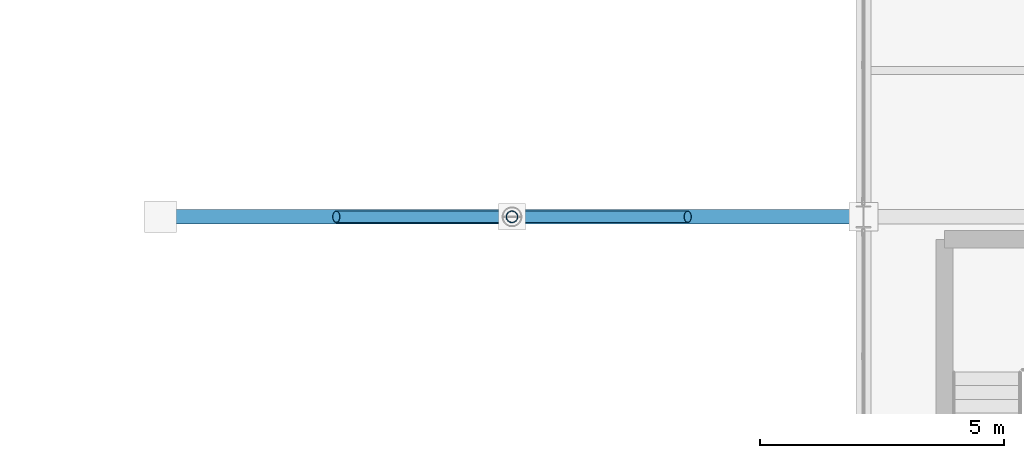
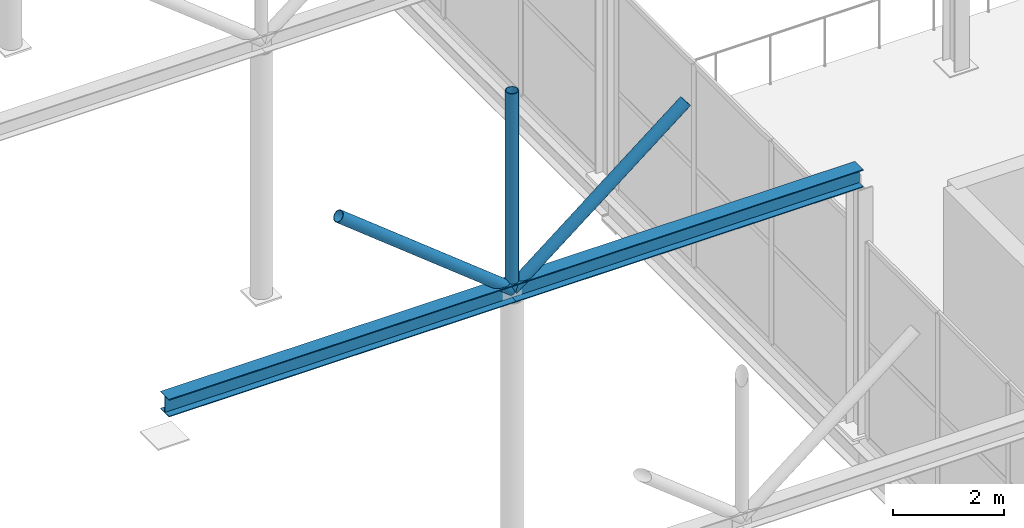
# One storey, part 35 of 147: 3 members, 2 beams.
"""IFC4 building model written with IfcOpenShell, lengths in metres."""

from ifc_helpers import new_model, si_unit, direction, frame, origin, origin_2d, place, context, subcontext, project, spatial, hollow_circle, i_section, extrude, material, material_profile, profile_set, type_object, element, save


model = new_model("IFC4")

# Units and contexts
model_context = context("Model", 3, precision=1e-05, world=origin(), true_north=direction((0.0, 1.0)))
body_context = subcontext(model_context, "Body", "Model", "MODEL_VIEW")
ifc_project = project(units=[si_unit("LENGTHUNIT", "METRE"), si_unit("AREAUNIT", "SQUARE_METRE"), si_unit("VOLUMEUNIT", "CUBIC_METRE"), si_unit("PLANEANGLEUNIT", "RADIAN"), si_unit("MASSUNIT", "GRAM", prefix="KILO")], contexts=[model_context])

# Site, building, storey
site_placement = place(None, origin())
site = spatial("IfcSite", under=ifc_project, at=site_placement, CompositionType="ELEMENT")
building_placement = place(site_placement, origin())
building = spatial("IfcBuilding", under=site, at=building_placement, Name="Sundgate Opera House", CompositionType="ELEMENT")
storey_placement = place(building_placement, frame((0.0, 0.0, 6.0)))
storey = spatial("IfcBuildingStorey", under=building, at=storey_placement, Name="L01", CompositionType="ELEMENT", Elevation=6.0)

# Beams
ifc_material_1 = material(Name="Steel S355J2", Category="steel")
ifc_material_profile_1 = material_profile(ifc_material_1, i_section(OverallWidth=0.300048828125, OverallDepth=0.389892578125, WebThickness=0.010986328125, FlangeThickness=0.01904296875, at=origin_2d()), Name="HEA 400")
ifc_profile_set_1 = profile_set([ifc_material_profile_1], Name="Steel S355J2")
beam_type = type_object("IfcBeamType", Name="BM-GR-HEA400", PredefinedType="BEAM", material=ifc_profile_set_1)
for number, where, z_axis, x_axis, name in (
    (1, (81.0, 33.0, 5.5849609375), (1.0, 0.0, 0.0), (0.0, 1.0, 0.0), "L01 Passage Arch Tie Beam B3399"),
    (2, (88.199951171875, 33.0, 5.5849609375), (1.0, 0.0, 0.0), (0.0, 1.0, 0.0), "L01 Passage Arch Tie Beam B3400"),
):
    element("IfcBeam", number, at=place(storey_placement, frame(where, z_axis=z_axis, x_axis=x_axis)), inside=storey, type_object=beam_type, Name=name, PredefinedType="BEAM", context=body_context, shape_type="SweptSolid", body=[
        extrude(i_section(OverallWidth=0.300048828125, OverallDepth=0.389892578125, WebThickness=0.010986328125, FlangeThickness=0.01904296875, at=origin_2d()), origin(), (0.0, 0.0, 1.0), 7.199951171875),
    ])

# Members
ifc_material_2 = material(Name="Steel S355J2", Category="steel")
ifc_material_profile_2 = material_profile(ifc_material_2, hollow_circle(Radius=0.122314453125, WallThickness=0.012451171875, at=origin_2d()), Name="CHS 244.5x12.5")
ifc_profile_set_2 = profile_set([ifc_material_profile_2], Name="Steel S355J2")
member_type = type_object("IfcMemberType", Name="MB-STRUT-CHS244", PredefinedType="STRUT", material=ifc_profile_set_2)
member_1_placement = place(storey_placement, frame((88.199951171875, 33.0, 5.594970703125), z_axis=(-0.78350570776, 0.0, 0.621384587762), x_axis=(0.0, -1.0, 0.0)))
element("IfcMember", 3, at=member_1_placement, inside=storey, type_object=member_type, Name="Passage Arch Spandrel Strut M0304", PredefinedType="STRUT", context=body_context, shape_type="SweptSolid", body=[
    extrude(hollow_circle(Radius=0.122314453125, WallThickness=0.012451171875, at=origin_2d()), origin(), (0.0, 0.0, 1.0), 4.594482421875),
])
member_2_placement = place(storey_placement, frame((88.199951171875, 33.0, 5.594970703125), z_axis=(0.783526223691, 0.0, 0.621358718285), x_axis=(0.0, 1.0, 0.0)))
element("IfcMember", 4, at=member_2_placement, inside=storey, type_object=member_type, Name="Passage Arch Spandrel Strut M0305", PredefinedType="STRUT", context=body_context, shape_type="SweptSolid", body=[
    extrude(hollow_circle(Radius=0.122314453125, WallThickness=0.012451171875, at=origin_2d()), origin(), (0.0, 0.0, 1.0), 4.5947265625),
])
member_3_placement = place(storey_placement, frame((88.199951171875, 33.0, 5.594970703125), z_axis=(0.0, 0.0, 1.0), x_axis=(1.0, 0.0, 0.0)))
element("IfcMember", 5, at=member_3_placement, inside=storey, type_object=member_type, Name="Passage Arch Crown Post M0306", PredefinedType="STRUT", context=body_context, shape_type="SweptSolid", body=[
    extrude(hollow_circle(Radius=0.122314453125, WallThickness=0.012451171875, at=origin_2d()), origin(), (0.0, 0.0, 1.0), 4.35498046875),
])

save(model, "model.ifc")
